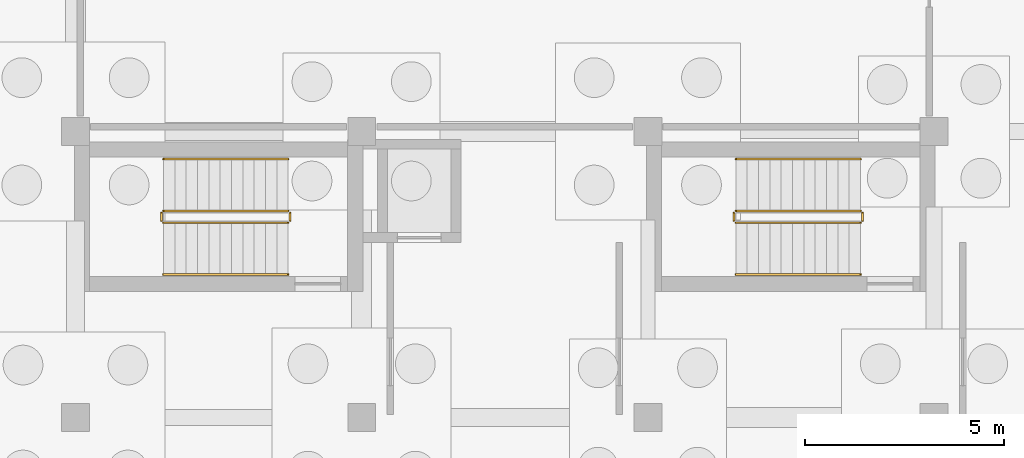
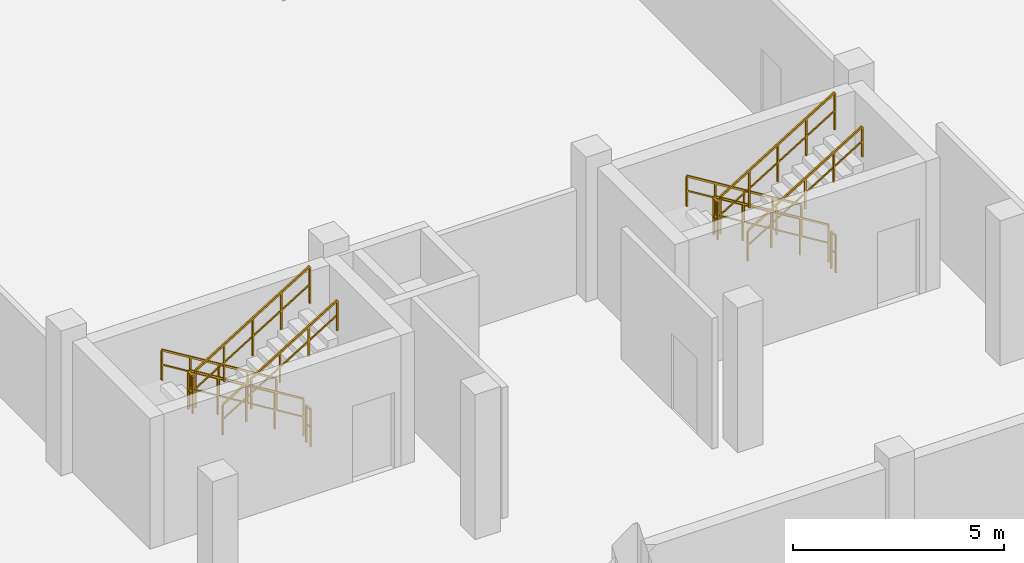
# One storey, part 48 of 56: 12 railings.
"""IFC4 building model written with IfcOpenShell, lengths in metres."""

from ifc_helpers import new_model, si_unit, direction, frame, origin, origin_2d, place, context, subcontext, project, spatial, rectangle, extrude, material, type_object, element, save


model = new_model("IFC4")

# Units and contexts
model_context = context("Model", 3, precision=1e-05, world=origin(), true_north=direction((0.0, 1.0)))
body_context = subcontext(model_context, "Body", "Model", "MODEL_VIEW")
ifc_project = project(units=[si_unit("LENGTHUNIT", "METRE"), si_unit("AREAUNIT", "SQUARE_METRE"), si_unit("VOLUMEUNIT", "CUBIC_METRE"), si_unit("PLANEANGLEUNIT", "RADIAN"), si_unit("MASSUNIT", "GRAM", prefix="KILO")], contexts=[model_context])

# Site, building, storey
site_placement = place(None, origin())
site = spatial("IfcSite", under=ifc_project, at=site_placement, CompositionType="ELEMENT")
building_placement = place(site_placement, origin())
building = spatial("IfcBuilding", under=site, at=building_placement, Name="Suanplinth Sawtooth Commons", CompositionType="ELEMENT")
storey_placement = place(building_placement, frame((0.0, 0.0, -4.199951171875)))
storey = spatial("IfcBuildingStorey", under=building, at=storey_placement, Name="B1", CompositionType="ELEMENT", Elevation=-4.199951171875)

# Railings
ifc_material = material(Name="Stainless steel Grade 304", Category="steel")
railing_type_1 = type_object("IfcRailingType", Name="GR-04", PredefinedType="GUARDRAIL", material=ifc_material)
railing_1_placement = place(storey_placement, frame((19.75, 12.39990234375, 0.175048828125)))
element("IfcRailing", 1, at=railing_1_placement, inside=storey, type_object=railing_type_1, Name="B1 ST-W1 Guard 1", PredefinedType="GUARDRAIL", context=body_context, shape_type="SweptSolid", body=[
    extrude(rectangle(XDim=0.048095703125, YDim=0.048095703125, at=origin_2d()), frame((0.0, 0.0, 1.076171875), z_axis=(-0.852195625947, 0.0, 0.523223293744), x_axis=(0.0, -1.0, 0.0)), (0.0, 0.0, 1.0), 3.6787109375),
    extrude(rectangle(XDim=0.03369140625, YDim=0.03369140625, at=origin_2d()), frame((0.0, 0.0, 0.550048828125), z_axis=(-0.852195625947, 0.0, 0.523223293744), x_axis=(0.0, -1.0, 0.0)), (0.0, 0.0, 1.0), 3.6787109375),
    extrude(rectangle(XDim=0.0419921875, YDim=0.0419921875, at=origin_2d()), origin(), (0.0, 0.0, 1.0), 1.052001953125),
    extrude(rectangle(XDim=0.0419921875, YDim=0.0419921875, at=origin_2d()), frame((-0.78369140625, 0.0, 0.481201171875)), (0.0, 0.0, 1.0), 1.052001953125),
    extrude(rectangle(XDim=0.0419921875, YDim=0.0419921875, at=origin_2d()), frame((-1.5673828125, 0.0, 0.96240234375)), (0.0, 0.0, 1.0), 1.052001953125),
    extrude(rectangle(XDim=0.0419921875, YDim=0.0419921875, at=origin_2d()), frame((-2.351318359375, 0.0, 1.443603515625)), (0.0, 0.0, 1.0), 1.052001953125),
    extrude(rectangle(XDim=0.0419921875, YDim=0.0419921875, at=origin_2d()), frame((-3.135009765625, 0.0, 1.9248046875)), (0.0, 0.0, 1.0), 1.052001953125),
])
railing_2_placement = place(storey_placement, frame((16.56494140625, 12.35009765625, 2.099853515625)))
element("IfcRailing", 2, at=railing_2_placement, inside=storey, type_object=railing_type_1, Name="B1 ST-W1 Guard 2", PredefinedType="GUARDRAIL", context=body_context, shape_type="SweptSolid", body=[
    extrude(rectangle(XDim=0.048095703125, YDim=0.048095703125, at=origin_2d()), frame((0.0, 0.0, 1.076171875), z_axis=(0.0, -1.0, 0.0), x_axis=(1.0, 0.0, 0.0)), (0.0, 0.0, 1.0), 0.2001953125),
    extrude(rectangle(XDim=0.03369140625, YDim=0.03369140625, at=origin_2d()), frame((0.0, 0.0, 0.550048828125), z_axis=(0.0, -1.0, 0.0), x_axis=(1.0, 0.0, 0.0)), (0.0, 0.0, 1.0), 0.2001953125),
    extrude(rectangle(XDim=0.0419921875, YDim=0.0419921875, at=origin_2d()), origin(), (0.0, 0.0, 1.0), 1.052001953125),
    extrude(rectangle(XDim=0.0419921875, YDim=0.0419921875, at=origin_2d()), frame((0.0, -0.2001953125, 0.0)), (0.0, 0.0, 1.0), 1.052001953125),
])
railing_3_placement = place(storey_placement, frame((16.614990234375, 12.10009765625, 2.27490234375)))
element("IfcRailing", 3, at=railing_3_placement, inside=storey, type_object=railing_type_1, Name="B1 ST-W1 Guard 3", PredefinedType="GUARDRAIL", context=body_context, shape_type="SweptSolid", body=[
    extrude(rectangle(XDim=0.048095703125, YDim=0.048095703125, at=origin_2d()), frame((0.0, 0.0, 1.076171875), z_axis=(0.852166034122, 0.0, 0.523271488128), x_axis=(0.0, 1.0, 0.0)), (0.0, 0.0, 1.0), 3.678955078125),
    extrude(rectangle(XDim=0.03369140625, YDim=0.03369140625, at=origin_2d()), frame((0.0, 0.0, 0.550048828125), z_axis=(0.852166034122, 0.0, 0.523271488128), x_axis=(0.0, 1.0, 0.0)), (0.0, 0.0, 1.0), 3.678955078125),
    extrude(rectangle(XDim=0.0419921875, YDim=0.0419921875, at=origin_2d()), origin(), (0.0, 0.0, 1.0), 1.052001953125),
    extrude(rectangle(XDim=0.0419921875, YDim=0.0419921875, at=origin_2d()), frame((0.78369140625, 0.0, 0.481201171875)), (0.0, 0.0, 1.0), 1.052001953125),
    extrude(rectangle(XDim=0.0419921875, YDim=0.0419921875, at=origin_2d()), frame((1.5673828125, 0.0, 0.96240234375)), (0.0, 0.0, 1.0), 1.052001953125),
    extrude(rectangle(XDim=0.0419921875, YDim=0.0419921875, at=origin_2d()), frame((2.351318359375, 0.0, 1.44384765625)), (0.0, 0.0, 1.0), 1.052001953125),
    extrude(rectangle(XDim=0.0419921875, YDim=0.0419921875, at=origin_2d()), frame((3.135009765625, 0.0, 1.925048828125)), (0.0, 0.0, 1.0), 1.052001953125),
])
railing_4_placement = place(storey_placement, frame((19.800048828125, 12.35009765625, 0.0)))
element("IfcRailing", 4, at=railing_4_placement, inside=storey, type_object=railing_type_1, Name="B1 ST-W1 Guard 4", PredefinedType="GUARDRAIL", context=body_context, shape_type="SweptSolid", body=[
    extrude(rectangle(XDim=0.048095703125, YDim=0.048095703125, at=origin_2d()), frame((0.0, 0.0, 1.076171875), z_axis=(0.0, -1.0, 0.0), x_axis=(1.0, 0.0, 0.0)), (0.0, 0.0, 1.0), 0.2001953125),
    extrude(rectangle(XDim=0.03369140625, YDim=0.03369140625, at=origin_2d()), frame((0.0, 0.0, 0.550048828125), z_axis=(0.0, -1.0, 0.0), x_axis=(1.0, 0.0, 0.0)), (0.0, 0.0, 1.0), 0.2001953125),
    extrude(rectangle(XDim=0.0419921875, YDim=0.0419921875, at=origin_2d()), origin(), (0.0, 0.0, 1.0), 1.052001953125),
    extrude(rectangle(XDim=0.0419921875, YDim=0.0419921875, at=origin_2d()), frame((0.0, -0.2001953125, 0.0)), (0.0, 0.0, 1.0), 1.052001953125),
])
railing_5_placement = place(storey_placement, frame((34.14990234375, 12.39990234375, 0.175048828125)))
element("IfcRailing", 5, at=railing_5_placement, inside=storey, type_object=railing_type_1, Name="B1 ST-W2 Guard 1", PredefinedType="GUARDRAIL", context=body_context, shape_type="SweptSolid", body=[
    extrude(rectangle(XDim=0.048095703125, YDim=0.048095703125, at=origin_2d()), frame((0.0, 0.0, 1.076171875), z_axis=(-0.852195625947, 0.0, 0.523223293744), x_axis=(0.0, -1.0, 0.0)), (0.0, 0.0, 1.0), 3.6787109375),
    extrude(rectangle(XDim=0.03369140625, YDim=0.03369140625, at=origin_2d()), frame((0.0, 0.0, 0.550048828125), z_axis=(-0.852195625947, 0.0, 0.523223293744), x_axis=(0.0, -1.0, 0.0)), (0.0, 0.0, 1.0), 3.6787109375),
    extrude(rectangle(XDim=0.0419921875, YDim=0.0419921875, at=origin_2d()), origin(), (0.0, 0.0, 1.0), 1.052001953125),
    extrude(rectangle(XDim=0.0419921875, YDim=0.0419921875, at=origin_2d()), frame((-0.78369140625, 0.0, 0.481201171875)), (0.0, 0.0, 1.0), 1.052001953125),
    extrude(rectangle(XDim=0.0419921875, YDim=0.0419921875, at=origin_2d()), frame((-1.5673828125, 0.0, 0.96240234375)), (0.0, 0.0, 1.0), 1.052001953125),
    extrude(rectangle(XDim=0.0419921875, YDim=0.0419921875, at=origin_2d()), frame((-2.351318359375, 0.0, 1.443603515625)), (0.0, 0.0, 1.0), 1.052001953125),
    extrude(rectangle(XDim=0.0419921875, YDim=0.0419921875, at=origin_2d()), frame((-3.135009765625, 0.0, 1.9248046875)), (0.0, 0.0, 1.0), 1.052001953125),
])
railing_6_placement = place(storey_placement, frame((30.965087890625, 12.35009765625, 2.099853515625)))
element("IfcRailing", 6, at=railing_6_placement, inside=storey, type_object=railing_type_1, Name="B1 ST-W2 Guard 2", PredefinedType="GUARDRAIL", context=body_context, shape_type="SweptSolid", body=[
    extrude(rectangle(XDim=0.048095703125, YDim=0.048095703125, at=origin_2d()), frame((0.0, 0.0, 1.076171875), z_axis=(0.0, -1.0, 0.0), x_axis=(1.0, 0.0, 0.0)), (0.0, 0.0, 1.0), 0.2001953125),
    extrude(rectangle(XDim=0.03369140625, YDim=0.03369140625, at=origin_2d()), frame((0.0, 0.0, 0.550048828125), z_axis=(0.0, -1.0, 0.0), x_axis=(1.0, 0.0, 0.0)), (0.0, 0.0, 1.0), 0.2001953125),
    extrude(rectangle(XDim=0.0419921875, YDim=0.0419921875, at=origin_2d()), origin(), (0.0, 0.0, 1.0), 1.052001953125),
    extrude(rectangle(XDim=0.0419921875, YDim=0.0419921875, at=origin_2d()), frame((0.0, -0.2001953125, 0.0)), (0.0, 0.0, 1.0), 1.052001953125),
])
railing_7_placement = place(storey_placement, frame((31.014892578125, 12.10009765625, 2.27490234375)))
element("IfcRailing", 7, at=railing_7_placement, inside=storey, type_object=railing_type_1, Name="B1 ST-W2 Guard 3", PredefinedType="GUARDRAIL", context=body_context, shape_type="SweptSolid", body=[
    extrude(rectangle(XDim=0.048095703125, YDim=0.048095703125, at=origin_2d()), frame((0.0, 0.0, 1.076171875), z_axis=(0.852166034122, 0.0, 0.523271488128), x_axis=(0.0, 1.0, 0.0)), (0.0, 0.0, 1.0), 3.678955078125),
    extrude(rectangle(XDim=0.03369140625, YDim=0.03369140625, at=origin_2d()), frame((0.0, 0.0, 0.550048828125), z_axis=(0.852166034122, 0.0, 0.523271488128), x_axis=(0.0, 1.0, 0.0)), (0.0, 0.0, 1.0), 3.678955078125),
    extrude(rectangle(XDim=0.0419921875, YDim=0.0419921875, at=origin_2d()), origin(), (0.0, 0.0, 1.0), 1.052001953125),
    extrude(rectangle(XDim=0.0419921875, YDim=0.0419921875, at=origin_2d()), frame((0.78369140625, 0.0, 0.481201171875)), (0.0, 0.0, 1.0), 1.052001953125),
    extrude(rectangle(XDim=0.0419921875, YDim=0.0419921875, at=origin_2d()), frame((1.5673828125, 0.0, 0.96240234375)), (0.0, 0.0, 1.0), 1.052001953125),
    extrude(rectangle(XDim=0.0419921875, YDim=0.0419921875, at=origin_2d()), frame((2.351318359375, 0.0, 1.44384765625)), (0.0, 0.0, 1.0), 1.052001953125),
    extrude(rectangle(XDim=0.0419921875, YDim=0.0419921875, at=origin_2d()), frame((3.135009765625, 0.0, 1.925048828125)), (0.0, 0.0, 1.0), 1.052001953125),
])
railing_8_placement = place(storey_placement, frame((34.199951171875, 12.35009765625, 0.0)))
element("IfcRailing", 8, at=railing_8_placement, inside=storey, type_object=railing_type_1, Name="B1 ST-W2 Guard 4", PredefinedType="GUARDRAIL", context=body_context, shape_type="SweptSolid", body=[
    extrude(rectangle(XDim=0.048095703125, YDim=0.048095703125, at=origin_2d()), frame((0.0, 0.0, 1.076171875), z_axis=(0.0, -1.0, 0.0), x_axis=(1.0, 0.0, 0.0)), (0.0, 0.0, 1.0), 0.2001953125),
    extrude(rectangle(XDim=0.03369140625, YDim=0.03369140625, at=origin_2d()), frame((0.0, 0.0, 0.550048828125), z_axis=(0.0, -1.0, 0.0), x_axis=(1.0, 0.0, 0.0)), (0.0, 0.0, 1.0), 0.2001953125),
    extrude(rectangle(XDim=0.0419921875, YDim=0.0419921875, at=origin_2d()), origin(), (0.0, 0.0, 1.0), 1.052001953125),
    extrude(rectangle(XDim=0.0419921875, YDim=0.0419921875, at=origin_2d()), frame((0.0, -0.2001953125, 0.0)), (0.0, 0.0, 1.0), 1.052001953125),
])
railing_type_2 = type_object("IfcRailingType", Name="HR-01", PredefinedType="HANDRAIL", material=ifc_material)
railing_9_placement = place(storey_placement, frame((19.75, 13.699951171875, 0.175048828125)))
element("IfcRailing", 9, at=railing_9_placement, inside=storey, type_object=railing_type_2, Name="B1 ST-W1 Handrail 1", PredefinedType="HANDRAIL", context=body_context, shape_type="SweptSolid", body=[
    extrude(rectangle(XDim=0.048095703125, YDim=0.048095703125, at=origin_2d()), frame((0.0, 0.0, 0.8759765625), z_axis=(-0.852195625947, 0.0, 0.523223293744), x_axis=(0.0, -1.0, 0.0)), (0.0, 0.0, 1.0), 3.6787109375),
    extrude(rectangle(XDim=0.03369140625, YDim=0.03369140625, at=origin_2d()), frame((0.0, 0.0, 0.449951171875), z_axis=(-0.852195625947, 0.0, 0.523223293744), x_axis=(0.0, -1.0, 0.0)), (0.0, 0.0, 1.0), 3.6787109375),
    extrude(rectangle(XDim=0.0419921875, YDim=0.0419921875, at=origin_2d()), origin(), (0.0, 0.0, 1.0), 0.851806640625),
    extrude(rectangle(XDim=0.0419921875, YDim=0.0419921875, at=origin_2d()), frame((-0.78369140625, 0.0, 0.481201171875)), (0.0, 0.0, 1.0), 0.851806640625),
    extrude(rectangle(XDim=0.0419921875, YDim=0.0419921875, at=origin_2d()), frame((-1.5673828125, 0.0, 0.96240234375)), (0.0, 0.0, 1.0), 0.851806640625),
    extrude(rectangle(XDim=0.0419921875, YDim=0.0419921875, at=origin_2d()), frame((-2.351318359375, 0.0, 1.443603515625)), (0.0, 0.0, 1.0), 0.851806640625),
    extrude(rectangle(XDim=0.0419921875, YDim=0.0419921875, at=origin_2d()), frame((-3.135009765625, 0.0, 1.9248046875)), (0.0, 0.0, 1.0), 0.851806640625),
])
railing_10_placement = place(storey_placement, frame((16.614990234375, 10.800048828125, 2.27490234375)))
element("IfcRailing", 10, at=railing_10_placement, inside=storey, type_object=railing_type_2, Name="B1 ST-W1 Handrail 2", PredefinedType="HANDRAIL", context=body_context, shape_type="SweptSolid", body=[
    extrude(rectangle(XDim=0.048095703125, YDim=0.048095703125, at=origin_2d()), frame((0.0, 0.0, 0.8759765625), z_axis=(0.852166034122, 0.0, 0.523271488128), x_axis=(0.0, 1.0, 0.0)), (0.0, 0.0, 1.0), 3.678955078125),
    extrude(rectangle(XDim=0.03369140625, YDim=0.03369140625, at=origin_2d()), frame((0.0, 0.0, 0.449951171875), z_axis=(0.852166034122, 0.0, 0.523271488128), x_axis=(0.0, 1.0, 0.0)), (0.0, 0.0, 1.0), 3.678955078125),
    extrude(rectangle(XDim=0.0419921875, YDim=0.0419921875, at=origin_2d()), origin(), (0.0, 0.0, 1.0), 0.851806640625),
    extrude(rectangle(XDim=0.0419921875, YDim=0.0419921875, at=origin_2d()), frame((0.78369140625, 0.0, 0.481201171875)), (0.0, 0.0, 1.0), 0.851806640625),
    extrude(rectangle(XDim=0.0419921875, YDim=0.0419921875, at=origin_2d()), frame((1.5673828125, 0.0, 0.96240234375)), (0.0, 0.0, 1.0), 0.851806640625),
    extrude(rectangle(XDim=0.0419921875, YDim=0.0419921875, at=origin_2d()), frame((2.351318359375, 0.0, 1.44384765625)), (0.0, 0.0, 1.0), 0.851806640625),
    extrude(rectangle(XDim=0.0419921875, YDim=0.0419921875, at=origin_2d()), frame((3.135009765625, 0.0, 1.925048828125)), (0.0, 0.0, 1.0), 0.851806640625),
])
railing_11_placement = place(storey_placement, frame((34.14990234375, 13.699951171875, 0.175048828125)))
element("IfcRailing", 11, at=railing_11_placement, inside=storey, type_object=railing_type_2, Name="B1 ST-W2 Handrail 1", PredefinedType="HANDRAIL", context=body_context, shape_type="SweptSolid", body=[
    extrude(rectangle(XDim=0.048095703125, YDim=0.048095703125, at=origin_2d()), frame((0.0, 0.0, 0.8759765625), z_axis=(-0.852195625947, 0.0, 0.523223293744), x_axis=(0.0, -1.0, 0.0)), (0.0, 0.0, 1.0), 3.6787109375),
    extrude(rectangle(XDim=0.03369140625, YDim=0.03369140625, at=origin_2d()), frame((0.0, 0.0, 0.449951171875), z_axis=(-0.852195625947, 0.0, 0.523223293744), x_axis=(0.0, -1.0, 0.0)), (0.0, 0.0, 1.0), 3.6787109375),
    extrude(rectangle(XDim=0.0419921875, YDim=0.0419921875, at=origin_2d()), origin(), (0.0, 0.0, 1.0), 0.851806640625),
    extrude(rectangle(XDim=0.0419921875, YDim=0.0419921875, at=origin_2d()), frame((-0.78369140625, 0.0, 0.481201171875)), (0.0, 0.0, 1.0), 0.851806640625),
    extrude(rectangle(XDim=0.0419921875, YDim=0.0419921875, at=origin_2d()), frame((-1.5673828125, 0.0, 0.96240234375)), (0.0, 0.0, 1.0), 0.851806640625),
    extrude(rectangle(XDim=0.0419921875, YDim=0.0419921875, at=origin_2d()), frame((-2.351318359375, 0.0, 1.443603515625)), (0.0, 0.0, 1.0), 0.851806640625),
    extrude(rectangle(XDim=0.0419921875, YDim=0.0419921875, at=origin_2d()), frame((-3.135009765625, 0.0, 1.9248046875)), (0.0, 0.0, 1.0), 0.851806640625),
])
railing_12_placement = place(storey_placement, frame((31.014892578125, 10.800048828125, 2.27490234375)))
element("IfcRailing", 12, at=railing_12_placement, inside=storey, type_object=railing_type_2, Name="B1 ST-W2 Handrail 2", PredefinedType="HANDRAIL", context=body_context, shape_type="SweptSolid", body=[
    extrude(rectangle(XDim=0.048095703125, YDim=0.048095703125, at=origin_2d()), frame((0.0, 0.0, 0.8759765625), z_axis=(0.852166034122, 0.0, 0.523271488128), x_axis=(0.0, 1.0, 0.0)), (0.0, 0.0, 1.0), 3.678955078125),
    extrude(rectangle(XDim=0.03369140625, YDim=0.03369140625, at=origin_2d()), frame((0.0, 0.0, 0.449951171875), z_axis=(0.852166034122, 0.0, 0.523271488128), x_axis=(0.0, 1.0, 0.0)), (0.0, 0.0, 1.0), 3.678955078125),
    extrude(rectangle(XDim=0.0419921875, YDim=0.0419921875, at=origin_2d()), origin(), (0.0, 0.0, 1.0), 0.851806640625),
    extrude(rectangle(XDim=0.0419921875, YDim=0.0419921875, at=origin_2d()), frame((0.78369140625, 0.0, 0.481201171875)), (0.0, 0.0, 1.0), 0.851806640625),
    extrude(rectangle(XDim=0.0419921875, YDim=0.0419921875, at=origin_2d()), frame((1.5673828125, 0.0, 0.96240234375)), (0.0, 0.0, 1.0), 0.851806640625),
    extrude(rectangle(XDim=0.0419921875, YDim=0.0419921875, at=origin_2d()), frame((2.351318359375, 0.0, 1.44384765625)), (0.0, 0.0, 1.0), 0.851806640625),
    extrude(rectangle(XDim=0.0419921875, YDim=0.0419921875, at=origin_2d()), frame((3.135009765625, 0.0, 1.925048828125)), (0.0, 0.0, 1.0), 0.851806640625),
])

save(model, "model.ifc")
